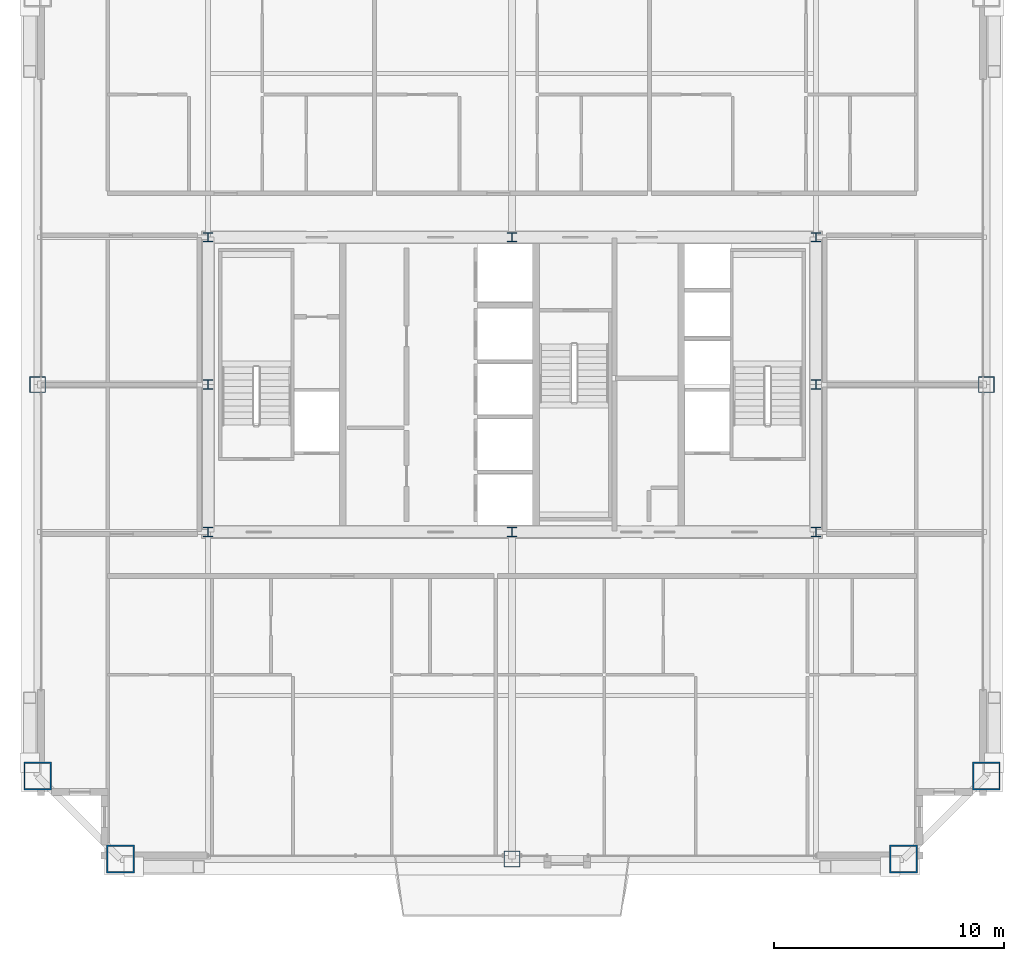
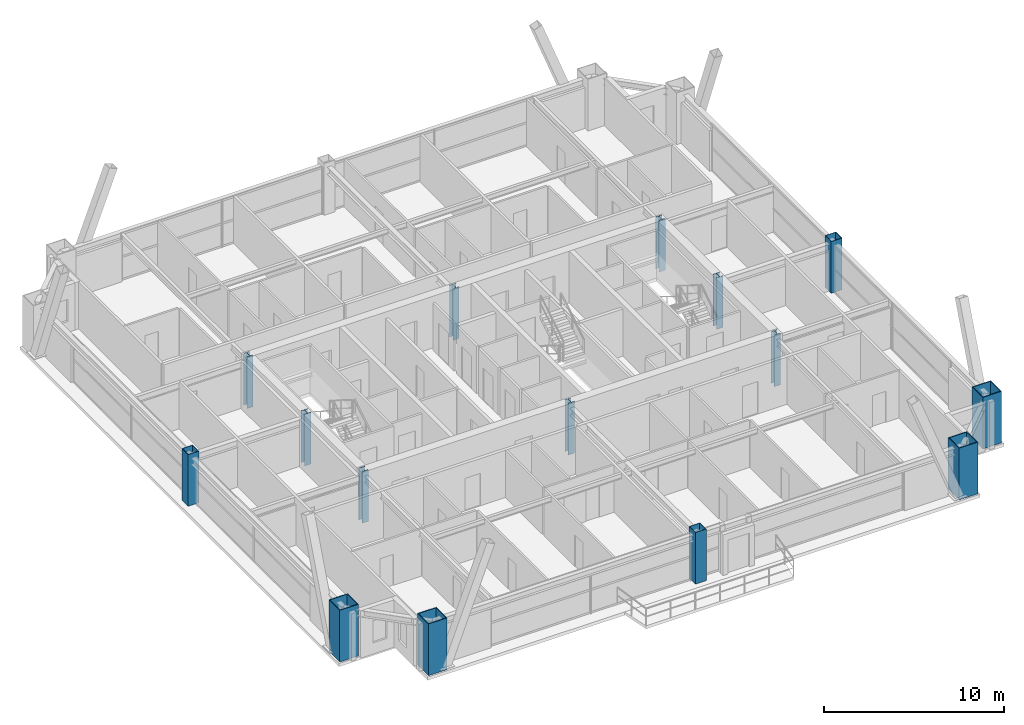
# One storey, part 1 of 36: 15 columns.
"""IFC4 building model written with IfcOpenShell, lengths in metres."""

import ifcopenshell
import ifcopenshell.guid

model = None  # the IFC model being written
_history = None  # IfcOwnerHistory: only IFC2X3 demands one
_inside = {}  # id of a spatial element -> (the spatial element, [elements in it])
_under = {}  # id of a project, library or spatial element -> (it, [spatial elements below it])
_declared = {}  # id of a project -> (the project, [libraries it declares])
_typed = {}  # id of a type object -> (the type object, [elements of that type])
_made_of = {}  # id of a material, layer set ... -> (it, [elements and type objects made of it])


def new_model(schema):
    """Start an empty IFC model of exactly this schema.

    Asked for "IFC4X3", IfcOpenShell would pick the latest addendum, in which some entities
    have other attributes; the version numbers below select the first issue.
    IFC2X3 requires an IfcOwnerHistory on every rooted entity: one is made here for all.
    """
    global model, _history
    if schema == "IFC4X3":
        model = ifcopenshell.file(schema_version=(4, 3, 0, 0))
    else:
        model = ifcopenshell.file(schema=schema)
    _inside.clear()
    _under.clear()
    _declared.clear()
    _typed.clear()
    _made_of.clear()
    _history = None
    if model.schema == "IFC2X3":
        org = make("IfcOrganization", Name="unknown")
        user = make(
            "IfcPersonAndOrganization",
            ThePerson=make("IfcPerson", FamilyName="unknown"),
            TheOrganization=org,
        )
        app = make(
            "IfcApplication",
            ApplicationDeveloper=org,
            Version="unknown",
            ApplicationFullName="unknown",
            ApplicationIdentifier="unknown",
        )
        _history = make(
            "IfcOwnerHistory",
            OwningUser=user,
            OwningApplication=app,
            ChangeAction="ADDED",
            CreationDate=0,
        )
    return model


def make(cls, **values):
    """One entity of the class cls with the attributes given. An attribute that is None is left unset."""
    return model.create_entity(
        cls, **{name: value for name, value in values.items() if value is not None}
    )


def rooted(cls, **values):
    """An entity with a GlobalId (a new one), such as an element, a storey or a relation."""
    return make(cls, GlobalId=ifcopenshell.guid.new(), OwnerHistory=_history, **values)


def si_unit(unit_type, name, prefix=None):
    """IfcSIUnit, for example si_unit("LENGTHUNIT", "METRE", prefix="MILLI")."""
    return make("IfcSIUnit", UnitType=unit_type, Prefix=prefix, Name=name)


def assignment(units):
    """IfcUnitAssignment: the units of a project."""
    return None if units is None else make("IfcUnitAssignment", Units=units)


def point(xyz):
    """IfcCartesianPoint."""
    return None if xyz is None else make("IfcCartesianPoint", Coordinates=xyz)


def direction(xyz):
    """IfcDirection."""
    return None if xyz is None else make("IfcDirection", DirectionRatios=xyz)


def frame(location, z_axis=None, x_axis=None):
    """IfcAxis2Placement3D, a coordinate frame: its origin and axes. An axis left out is left unset."""
    return make(
        "IfcAxis2Placement3D",
        Location=point(location),
        Axis=direction(z_axis),
        RefDirection=direction(x_axis),
    )


def frame_2d(location, x_axis=None):
    """IfcAxis2Placement2D, a coordinate frame in the plane: its origin and x axis."""
    return make(
        "IfcAxis2Placement2D", Location=point(location), RefDirection=direction(x_axis)
    )


def origin():
    """The frame at (0, 0, 0) with its axes left unset."""
    return frame((0.0, 0.0, 0.0))


def origin_2d():
    """The frame at (0, 0) in the plane with its x axis left unset."""
    return frame_2d((0.0, 0.0))


def place(relative_to, where):
    """IfcLocalPlacement: puts the frame where relative to a parent placement (None: the world)."""
    return make(
        "IfcLocalPlacement", PlacementRelTo=relative_to, RelativePlacement=where
    )


def context(
    kind, dimensions, precision=None, world=None, true_north=None, identifier=None
):
    """IfcGeometricRepresentationContext, for example the 3D "Model" context."""
    return make(
        "IfcGeometricRepresentationContext",
        ContextIdentifier=identifier,
        ContextType=kind,
        CoordinateSpaceDimension=dimensions,
        Precision=precision,
        WorldCoordinateSystem=world,
        TrueNorth=true_north,
    )


def subcontext(parent, identifier, kind, view, scale=None):
    """IfcGeometricRepresentationSubContext, for example "Body" below "Model"."""
    return make(
        "IfcGeometricRepresentationSubContext",
        ContextIdentifier=identifier,
        ContextType=kind,
        ParentContext=parent,
        TargetScale=scale,
        TargetView=view,
    )


def project(units=None, contexts=None):
    """IfcProject with its units and contexts."""
    return rooted(
        "IfcProject",
        Name="project",
        RepresentationContexts=contexts,
        UnitsInContext=assignment(units),
    )


def spatial(cls, under=None, at=None, **own):
    """A site, building, storey or space (cls), placed at a placement, below another one or the project."""
    s = rooted(cls, ObjectPlacement=at, **own)
    if under is not None:
        _under.setdefault(under.id(), (under, []))[1].append(s)
    return s


def profile(cls, at=None, kind="AREA", **sizes):
    """A parametric profile (cls). Its sizes go by their IFC names, for example OverallWidth=200.0."""
    return make(cls, ProfileType=kind, Position=at, **sizes)


def hollow_rectangle(**sizes):
    """IfcRectangleHollowProfileDef."""
    return profile("IfcRectangleHollowProfileDef", **sizes)


def i_section(**sizes):
    """IfcIShapeProfileDef."""
    return profile("IfcIShapeProfileDef", **sizes)


def extrude(swept, where, along, depth):
    """IfcExtrudedAreaSolid: the profile swept, set in the frame where, extruded along a direction by depth."""
    return make(
        "IfcExtrudedAreaSolid",
        SweptArea=swept,
        Position=where,
        ExtrudedDirection=direction(along),
        Depth=depth,
    )


def shape(context_of_items, identifier, shape_type, items):
    """IfcShapeRepresentation: the items that make up one representation, for example the "Body"."""
    return make(
        "IfcShapeRepresentation",
        ContextOfItems=context_of_items,
        RepresentationIdentifier=identifier,
        RepresentationType=shape_type,
        Items=items,
    )


def source(mapping_origin, context_of_items, identifier, shape_type, items):
    """IfcRepresentationMap: a shape defined once, which mapped items show again and again."""
    return make(
        "IfcRepresentationMap",
        MappingOrigin=mapping_origin,
        MappedRepresentation=shape(context_of_items, identifier, shape_type, items),
    )


def transform(
    local_origin,
    x_axis=None,
    y_axis=None,
    z_axis=None,
    scale=None,
    scale2=None,
    scale3=None,
    uniform=True,
):
    """IfcCartesianTransformationOperator3D, or its non-uniform kind. x_axis, y_axis, z_axis: its Axis1, 2, 3."""
    if uniform:
        return make(
            "IfcCartesianTransformationOperator3D",
            Axis1=direction(x_axis),
            Axis2=direction(y_axis),
            LocalOrigin=point(local_origin),
            Scale=scale,
            Axis3=direction(z_axis),
        )
    return make(
        "IfcCartesianTransformationOperator3DnonUniform",
        Axis1=direction(x_axis),
        Axis2=direction(y_axis),
        LocalOrigin=point(local_origin),
        Scale=scale,
        Axis3=direction(z_axis),
        Scale2=scale2,
        Scale3=scale3,
    )


def mapped(mapping_source, mapping_target):
    """IfcMappedItem: shows the shape of a source again, moved by a transform."""
    return make(
        "IfcMappedItem", MappingSource=mapping_source, MappingTarget=mapping_target
    )


def material(Name=None, Category=None):
    """IfcMaterial."""
    return make("IfcMaterial", Name=Name, Category=Category)


def material_profile(
    of_material, cross_section, Name=None, Category=None, Priority=None
):
    """IfcMaterialProfile: a cross section and its material."""
    return make(
        "IfcMaterialProfile",
        Name=Name,
        Material=of_material,
        Profile=cross_section,
        Priority=Priority,
        Category=Category,
    )


def profile_set(profiles, Name=None, composite=None):
    """IfcMaterialProfileSet."""
    return make(
        "IfcMaterialProfileSet",
        Name=Name,
        MaterialProfiles=profiles,
        CompositeProfile=composite,
    )


def made_of(thing, what):
    """Note that an element or type object is made of a material, layer set ...; save() writes the relation."""
    if what is not None:
        _made_of.setdefault(what.id(), (what, []))[1].append(thing)
    return thing


def type_object(cls, material=None, **own):
    """A type object (cls), such as IfcWallType, which elements share."""
    return made_of(rooted(cls, **own), material)


def element(
    cls,
    number,
    at=None,
    inside=None,
    cuts=None,
    type_object=None,
    material=None,
    context=None,
    identifier="Body",
    shape_type=None,
    held_by="IfcProductDefinitionShape",
    body=None,
    shapes=None,
    **own,
):
    """One element of the class cls, such as IfcWall. Its Tag is "e" and its number.

    at: its placement. inside: the storey or other place that contains it. cuts: it is an
    opening in that element (IfcRelVoidsElement). A single representation is given by context,
    identifier, shape_type and body (its items); several are given by shapes. held_by: the class
    of the entity that holds the representations. save() writes the other relations.
    """
    e = rooted(cls, Tag="e%d" % number, ObjectPlacement=at, **own)
    if body is not None:
        shapes = [shape(context, identifier, shape_type, body)]
    if shapes is not None:
        e.Representation = make(held_by, Representations=shapes)
    if inside is not None:
        _inside.setdefault(inside.id(), (inside, []))[1].append(e)
    if cuts is not None:
        rooted(
            "IfcRelVoidsElement", RelatingBuildingElement=cuts, RelatedOpeningElement=e
        )
    if type_object is not None:
        _typed.setdefault(type_object.id(), (type_object, []))[1].append(e)
    return made_of(e, material)


def aggregate(whole, parts):
    """IfcRelAggregates: a whole, such as a stair, and the parts it consists of."""
    return rooted("IfcRelAggregates", RelatingObject=whole, RelatedObjects=parts)


def save(model, path):
    """Write the relations noted so far, then the file.

    IfcRelAggregates (storeys below a building ...), IfcRelContainedInSpatialStructure (elements
    in a storey), IfcRelDefinesByType, IfcRelAssociatesMaterial and IfcRelDeclares: one each for
    every whole, place, type object, material and project.
    """
    for whole, parts in _under.values():
        aggregate(whole, parts)
    for where, things in _inside.values():
        rooted(
            "IfcRelContainedInSpatialStructure",
            RelatedElements=things,
            RelatingStructure=where,
        )
    for kind, things in _typed.values():
        rooted("IfcRelDefinesByType", RelatedObjects=things, RelatingType=kind)
    for what, things in _made_of.values():
        rooted("IfcRelAssociatesMaterial", RelatedObjects=things, RelatingMaterial=what)
    for by, libraries in _declared.values():
        rooted("IfcRelDeclares", RelatingContext=by, RelatedDefinitions=libraries)
    model.write(path)


model = new_model("IFC4")

# Units and contexts
model_context = context("Model", 3, precision=1e-05, world=origin(), true_north=direction((0.0, 1.0)))
body_context = subcontext(model_context, "Body", "Model", "MODEL_VIEW")
ifc_project = project(units=[si_unit("LENGTHUNIT", "METRE"), si_unit("AREAUNIT", "SQUARE_METRE"), si_unit("VOLUMEUNIT", "CUBIC_METRE"), si_unit("PLANEANGLEUNIT", "RADIAN"), si_unit("MASSUNIT", "GRAM", prefix="KILO"), si_unit("THERMODYNAMICTEMPERATUREUNIT", "KELVIN"), si_unit("POWERUNIT", "WATT")], contexts=[model_context])

# Site, building, storey
site_placement = place(None, origin())
site = spatial("IfcSite", under=ifc_project, at=site_placement, CompositionType="ELEMENT")
building_placement = place(site_placement, origin())
building = spatial("IfcBuilding", under=site, at=building_placement, Name="Yuzanri Waterfront Tower", CompositionType="ELEMENT")
storey_placement = place(building_placement, frame((0.0, 0.0, 255.60009765625)))
storey = spatial("IfcBuildingStorey", under=building, at=storey_placement, Name="L68", CompositionType="ELEMENT", Elevation=255.60009765625)

# Columns
ifc_material_1 = material(Name="Steel Q355B", Category="steel")
ifc_material_profile_1 = material_profile(ifc_material_1, i_section(OverallWidth=0.39990234375, OverallDepth=0.39990234375, WebThickness=0.012939453125, FlangeThickness=0.02099609375, at=origin_2d()), Name="HW 400x400x13x21")
ifc_profile_set_1 = profile_set([ifc_material_profile_1], Name="Steel Q355B")
column_type_1 = type_object("IfcColumnType", Name="Core Post Q355B HW 400x400x13x21", PredefinedType="COLUMN", material=ifc_profile_set_1)
shared_shape_1 = source(origin(), body_context, "Body", "SweptSolid", [
    extrude(i_section(OverallWidth=0.39990234375, OverallDepth=0.39990234375, WebThickness=0.012939453125, FlangeThickness=0.02099609375, at=origin_2d()), origin(), (0.0, 0.0, 1.0), 3.5),
])
for number, where, z_axis, x_axis, name in (
    (1, (23.800048828125, 19.39990234375, 0.0), (0.0, 0.0, 1.0), (1.0, 0.0, 0.0), "L68 Core Boundary Column CP1"),
    (2, (37.0, 19.39990234375, 0.0), (0.0, 0.0, 1.0), (1.0, 0.0, 0.0), "L68 Core Boundary Column CP2"),
    (3, (50.199951171875, 19.39990234375, 0.0), (0.0, 0.0, 1.0), (1.0, 0.0, 0.0), "L68 Core Boundary Column CP3"),
    (4, (23.800048828125, 25.800048828125, 0.0), (0.0, 0.0, 1.0), (1.0, 0.0, 0.0), "L68 Core Boundary Column CP4"),
    (5, (50.199951171875, 25.800048828125, 0.0), (0.0, 0.0, 1.0), (1.0, 0.0, 0.0), "L68 Core Boundary Column CP5"),
    (6, (23.800048828125, 32.199951171875, 0.0), (0.0, 0.0, 1.0), (1.0, 0.0, 0.0), "L68 Core Boundary Column CP6"),
    (7, (37.0, 32.199951171875, 0.0), (0.0, 0.0, 1.0), (1.0, 0.0, 0.0), "L68 Core Boundary Column CP7"),
    (8, (50.199951171875, 32.199951171875, 0.0), (0.0, 0.0, 1.0), (1.0, 0.0, 0.0), "L68 Core Boundary Column CP8"),
):
    element("IfcColumn", number, at=place(storey_placement, frame(where, z_axis=z_axis, x_axis=x_axis)), inside=storey, type_object=column_type_1, Name=name, PredefinedType="COLUMN", context=body_context, shape_type="MappedRepresentation", body=[
        mapped(shared_shape_1, transform((0.0, 0.0, 0.0), scale=1.0)),
    ])
ifc_material_2 = material(Name="Steel Q390GJC", Category="steel")
ifc_material_profile_2 = material_profile(ifc_material_2, hollow_rectangle(XDim=1.199951171875, YDim=1.199951171875, WallThickness=0.054931640625, at=origin_2d()), Name="RHS 1200x1200x55")
ifc_profile_set_2 = profile_set([ifc_material_profile_2], Name="Steel Q390GJC")
column_type_2 = type_object("IfcColumnType", Name="Mega Column Q390GJC RHS 1200x1200x55", PredefinedType="COLUMN", material=ifc_profile_set_2)
shared_shape_2 = source(origin(), body_context, "Body", "SweptSolid", [
    extrude(hollow_rectangle(XDim=1.199951171875, YDim=1.199951171875, WallThickness=0.054931640625, at=origin_2d()), origin(), (0.0, 0.0, 1.0), 3.5),
])
for number, where, z_axis, x_axis, name in (
    (9, (20.0, 5.199951171875, 0.0), (0.0, 0.0, 1.0), (1.0, 0.0, 0.0), "L68 Perimeter Mega Column S1"),
    (10, (54.0, 5.199951171875, 0.0), (0.0, 0.0, 1.0), (1.0, 0.0, 0.0), "L68 Perimeter Mega Column S3"),
    (11, (16.39990234375, 8.800048828125, 0.0), (0.0, 0.0, 1.0), (1.0, 0.0, 0.0), "L68 Perimeter Mega Column W1"),
    (12, (57.60009765625, 8.800048828125, 0.0), (0.0, 0.0, 1.0), (1.0, 0.0, 0.0), "L68 Perimeter Mega Column E1"),
):
    element("IfcColumn", number, at=place(storey_placement, frame(where, z_axis=z_axis, x_axis=x_axis)), inside=storey, type_object=column_type_2, Name=name, PredefinedType="COLUMN", context=body_context, shape_type="MappedRepresentation", body=[
        mapped(shared_shape_2, transform((0.0, 0.0, 0.0), scale=1.0)),
    ])
ifc_material_3 = material(Name="Steel Q355B", Category="steel")
ifc_material_profile_3 = material_profile(ifc_material_3, hollow_rectangle(XDim=0.699951171875, YDim=0.699951171875, WallThickness=0.031982421875, at=origin_2d()), Name="RHS 700x700x32")
ifc_profile_set_3 = profile_set([ifc_material_profile_3], Name="Steel Q355B")
column_type_3 = type_object("IfcColumnType", Name="Frame Column Q355B RHS 700x700x32", PredefinedType="COLUMN", material=ifc_profile_set_3)
shared_shape_3 = source(origin(), body_context, "Body", "SweptSolid", [
    extrude(hollow_rectangle(XDim=0.699951171875, YDim=0.699951171875, WallThickness=0.031982421875, at=origin_2d()), origin(), (0.0, 0.0, 1.0), 3.5),
])
for number, where, z_axis, x_axis, name in (
    (13, (37.0, 5.199951171875, 0.0), (0.0, 0.0, 1.0), (1.0, 0.0, 0.0), "L68 Perimeter Frame Column S2"),
    (14, (16.39990234375, 25.800048828125, 0.0), (0.0, 0.0, 1.0), (1.0, 0.0, 0.0), "L68 Perimeter Frame Column W2"),
    (15, (57.60009765625, 25.800048828125, 0.0), (0.0, 0.0, 1.0), (1.0, 0.0, 0.0), "L68 Perimeter Frame Column E2"),
):
    element("IfcColumn", number, at=place(storey_placement, frame(where, z_axis=z_axis, x_axis=x_axis)), inside=storey, type_object=column_type_3, Name=name, PredefinedType="COLUMN", context=body_context, shape_type="MappedRepresentation", body=[
        mapped(shared_shape_3, transform((0.0, 0.0, 0.0), scale=1.0)),
    ])

save(model, "model.ifc")
